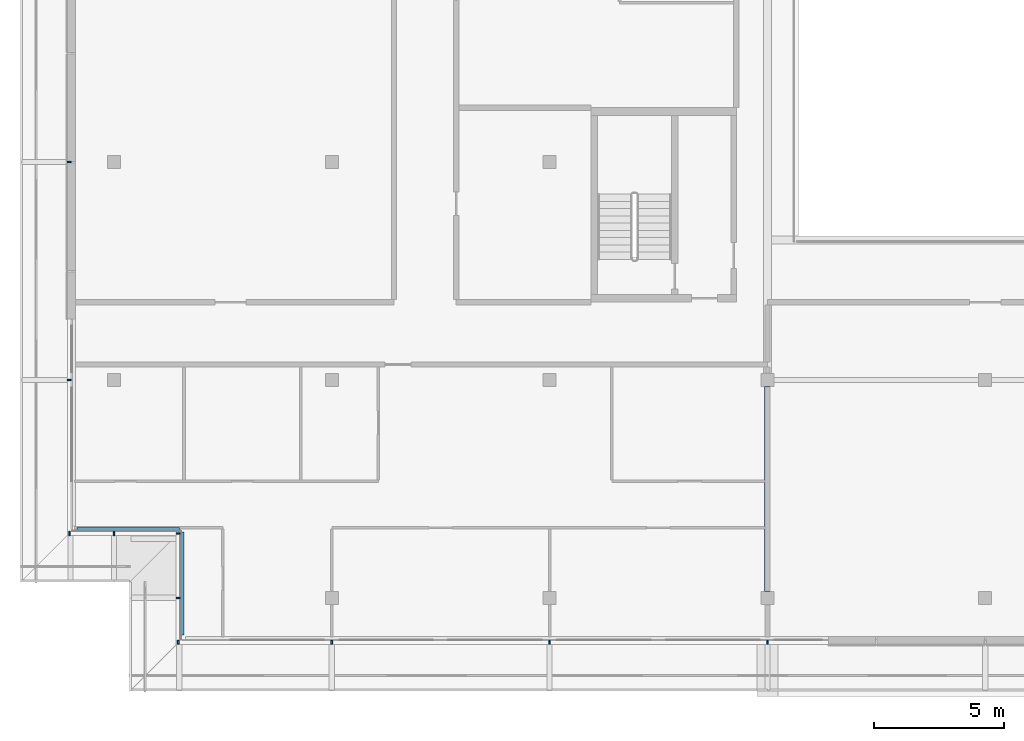
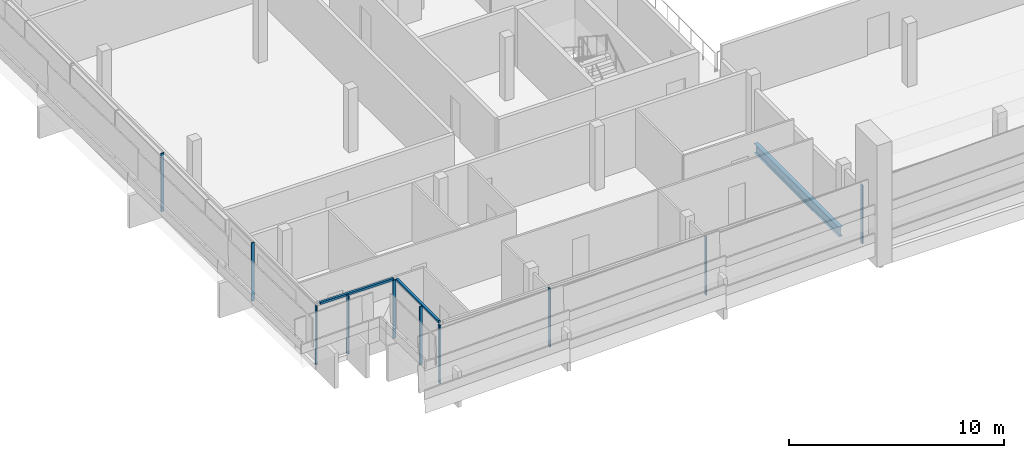
# One storey, part 2 of 33: 12 members, 1 beam, 4 elements without a shape of their own.
"""IFC4 building model written with IfcOpenShell, lengths in metres."""

from ifc_helpers import new_model, si_unit, direction, frame, origin, origin_2d, place, context, subcontext, project, spatial, rectangle, i_section, extrude, material, material_profile, profile_set, type_object, element, aggregate, save


model = new_model("IFC4")

# Units and contexts
model_context = context("Model", 3, precision=1e-05, world=origin(), true_north=direction((0.0, 1.0)))
body_context = subcontext(model_context, "Body", "Model", "MODEL_VIEW")
ifc_project = project(units=[si_unit("LENGTHUNIT", "METRE"), si_unit("AREAUNIT", "SQUARE_METRE"), si_unit("VOLUMEUNIT", "CUBIC_METRE"), si_unit("PLANEANGLEUNIT", "RADIAN"), si_unit("MASSUNIT", "GRAM", prefix="KILO")], contexts=[model_context])

# Site, building, storey
site_placement = place(None, origin())
site = spatial("IfcSite", under=ifc_project, at=site_placement, CompositionType="ELEMENT")
building_placement = place(site_placement, origin())
building = spatial("IfcBuilding", under=site, at=building_placement, Name="Saffron Gate Tower", CompositionType="ELEMENT")
storey_placement = place(building_placement, frame((0.0, 0.0, 263.550048828125)))
storey = spatial("IfcBuildingStorey", under=building, at=storey_placement, Name="L63", CompositionType="ELEMENT", Elevation=263.550048828125)

# Beam
ifc_material_1 = material(Name="Structural steel S355", Category="steel")
ifc_material_profile_1 = material_profile(ifc_material_1, i_section(OverallWidth=0.2099609375, OverallDepth=0.550048828125, WebThickness=0.010986328125, FlangeThickness=0.01708984375, FilletRadius=0.02392578125, at=origin_2d()))
ifc_profile_set_1 = profile_set([ifc_material_profile_1], Name="Structural steel S355")
beam_type = type_object("IfcBeamType", Name="B12 IPE 550", PredefinedType="BEAM", material=ifc_profile_set_1)
beam_placement = place(storey_placement, frame((75.0, 32.050048828125, -0.554931640625), z_axis=(0.0, 1.0, 0.0), x_axis=(-1.0, 0.0, 0.0)))
element("IfcBeam", 1, at=beam_placement, inside=storey, type_object=beam_type, Name="B12 FLOOR GIRDER", PredefinedType="BEAM", context=body_context, shape_type="SweptSolid", body=[
    extrude(i_section(OverallWidth=0.2099609375, OverallDepth=0.550048828125, WebThickness=0.010986328125, FlangeThickness=0.01708984375, FilletRadius=0.02392578125, at=origin_2d()), origin(), (0.0, 0.0, 1.0), 7.89990234375),
])

# Curtain wall, members
ifc_material_2 = material(Name="Aluminium, bronze anodised", Category="aluminium")
curtain_wall_type_1 = type_object("IfcCurtainWallType", Name="CWS1 curtain wall front facade", PredefinedType="NOTDEFINED", material=ifc_material_2)
curtain_wall_1_placement = place(storey_placement, origin())
curtain_wall_1 = element("IfcCurtainWall", 2, at=curtain_wall_1_placement, inside=storey, type_object=curtain_wall_type_1, Name="CWS1 run 1", PredefinedType="NOTDEFINED")
ifc_material_profile_2 = material_profile(ifc_material_2, rectangle(XDim=0.159912109375, YDim=0.06005859375, at=origin_2d()))
ifc_profile_set_2 = profile_set([ifc_material_profile_2], Name="Aluminium, bronze anodised")
member_type_1 = type_object("IfcMemberType", Name="CWS1 mullion 60x160", PredefinedType="MULLION", material=ifc_profile_set_2)
member_1_placement = place(storey_placement, frame((52.280029296875, 30.080078125, 0.0), z_axis=(0.0, 0.0, 1.0), x_axis=(0.0, 1.0, 0.0)))
member_1 = element("IfcMember", 3, at=member_1_placement, type_object=member_type_1, Name="CWS1 mullion 1", PredefinedType="MULLION", context=body_context, shape_type="SweptSolid", body=[
    extrude(rectangle(XDim=0.159912109375, YDim=0.06005859375, at=origin_2d()), origin(), (0.0, 0.0, 1.0), 3.320068359375),
])
member_2_placement = place(storey_placement, frame((58.199951171875, 30.080078125, 0.0), z_axis=(0.0, 0.0, 1.0), x_axis=(0.0, 1.0, 0.0)))
member_2 = element("IfcMember", 4, at=member_2_placement, type_object=member_type_1, Name="CWS1 mullion 2", PredefinedType="MULLION", context=body_context, shape_type="SweptSolid", body=[
    extrude(rectangle(XDim=0.159912109375, YDim=0.06005859375, at=origin_2d()), origin(), (0.0, 0.0, 1.0), 3.320068359375),
])
member_3_placement = place(storey_placement, frame((66.60009765625, 30.080078125, 0.0), z_axis=(0.0, 0.0, 1.0), x_axis=(0.0, 1.0, 0.0)))
member_3 = element("IfcMember", 5, at=member_3_placement, type_object=member_type_1, Name="CWS1 mullion 3", PredefinedType="MULLION", context=body_context, shape_type="SweptSolid", body=[
    extrude(rectangle(XDim=0.159912109375, YDim=0.06005859375, at=origin_2d()), origin(), (0.0, 0.0, 1.0), 3.320068359375),
])
member_4_placement = place(storey_placement, frame((75.0, 30.080078125, 0.0), z_axis=(0.0, 0.0, 1.0), x_axis=(0.0, 1.0, 0.0)))
member_4 = element("IfcMember", 6, at=member_4_placement, type_object=member_type_1, Name="CWS1 mullion 4", PredefinedType="MULLION", context=body_context, shape_type="SweptSolid", body=[
    extrude(rectangle(XDim=0.159912109375, YDim=0.06005859375, at=origin_2d()), origin(), (0.0, 0.0, 1.0), 3.320068359375),
])
aggregate(curtain_wall_1, [member_1, member_2, member_3, member_4])

curtain_wall_type_2 = type_object("IfcCurtainWallType", Name="CWS2 curtain wall side facades", PredefinedType="NOTDEFINED", material=ifc_material_2)
curtain_wall_2_placement = place(storey_placement, origin())
curtain_wall_2 = element("IfcCurtainWall", 7, at=curtain_wall_2_placement, inside=storey, type_object=curtain_wall_type_2, Name="CWS2 run 10", PredefinedType="NOTDEFINED")
ifc_material_profile_3 = material_profile(ifc_material_2, rectangle(XDim=0.159912109375, YDim=0.06005859375, at=origin_2d()))
ifc_profile_set_3 = profile_set([ifc_material_profile_3], Name="Aluminium, bronze anodised")
member_type_2 = type_object("IfcMemberType", Name="CWS2 mullion 60x160", PredefinedType="MULLION", material=ifc_profile_set_3)
member_5_placement = place(storey_placement, frame((48.080078125, 48.60009765625, 0.0), z_axis=(0.0, 0.0, 1.0), x_axis=(1.0, 0.0, 0.0)))
member_5 = element("IfcMember", 8, at=member_5_placement, type_object=member_type_2, Name="CWS2 mullion 4", PredefinedType="MULLION", context=body_context, shape_type="SweptSolid", body=[
    extrude(rectangle(XDim=0.159912109375, YDim=0.06005859375, at=origin_2d()), origin(), (0.0, 0.0, 1.0), 3.320068359375),
])
member_6_placement = place(storey_placement, frame((48.080078125, 40.199951171875, 0.0), z_axis=(0.0, 0.0, 1.0), x_axis=(1.0, 0.0, 0.0)))
member_6 = element("IfcMember", 9, at=member_6_placement, type_object=member_type_2, Name="CWS2 mullion 5", PredefinedType="MULLION", context=body_context, shape_type="SweptSolid", body=[
    extrude(rectangle(XDim=0.159912109375, YDim=0.06005859375, at=origin_2d()), origin(), (0.0, 0.0, 1.0), 3.320068359375),
])
aggregate(curtain_wall_2, [member_5, member_6])

# Curtain wall, member
curtain_wall_type_3 = type_object("IfcCurtainWallType", Name="CWS4 curtain wall corner returns", PredefinedType="NOTDEFINED", material=ifc_material_2)
curtain_wall_3_placement = place(storey_placement, origin())
curtain_wall_3 = element("IfcCurtainWall", 10, at=curtain_wall_3_placement, inside=storey, type_object=curtain_wall_type_3, Name="CWS4 run 11", PredefinedType="NOTDEFINED")
ifc_material_profile_4 = material_profile(ifc_material_2, rectangle(XDim=0.1201171875, YDim=0.1201171875, at=origin_2d()))
ifc_profile_set_4 = profile_set([ifc_material_profile_4], Name="Aluminium, bronze anodised")
member_type_3 = type_object("IfcMemberType", Name="CWS4 head transom", PredefinedType="USERDEFINED", material=ifc_profile_set_4)
member_7_placement = place(storey_placement, frame((48.367919921875, 34.447998046875, 3.260009765625), z_axis=(1.0, 0.0, 0.0), x_axis=(0.0, 1.0, 0.0)))
member_7 = element("IfcMember", 11, at=member_7_placement, type_object=member_type_3, Name="CWS4 head transom", ObjectType="TRANSOM", PredefinedType="USERDEFINED", context=body_context, shape_type="SweptSolid", body=[
    extrude(rectangle(XDim=0.1201171875, YDim=0.1201171875, at=origin_2d()), origin(), (0.0, 0.0, 1.0), 3.9599609375),
])

curtain_wall_4_placement = place(storey_placement, origin())
curtain_wall_4 = element("IfcCurtainWall", 12, at=curtain_wall_4_placement, inside=storey, type_object=curtain_wall_type_3, Name="CWS4 run 12", PredefinedType="NOTDEFINED")
member_8_placement = place(storey_placement, frame((52.447998046875, 34.327880859375, 3.260009765625), z_axis=(0.0, -1.0, 0.0), x_axis=(1.0, 0.0, 0.0)))
member_8 = element("IfcMember", 13, at=member_8_placement, type_object=member_type_3, Name="CWS4 head transom", ObjectType="TRANSOM", PredefinedType="USERDEFINED", context=body_context, shape_type="SweptSolid", body=[
    extrude(rectangle(XDim=0.1201171875, YDim=0.1201171875, at=origin_2d()), origin(), (0.0, 0.0, 1.0), 3.9599609375),
])

# Member
ifc_material_profile_5 = material_profile(ifc_material_2, rectangle(XDim=0.159912109375, YDim=0.06005859375, at=origin_2d()))
ifc_profile_set_5 = profile_set([ifc_material_profile_5], Name="Aluminium, bronze anodised")
member_type_4 = type_object("IfcMemberType", Name="CWS4 mullion 60x160", PredefinedType="MULLION", material=ifc_profile_set_5)
member_9_placement = place(storey_placement, frame((48.080078125, 34.280029296875, 0.0), z_axis=(0.0, 0.0, 1.0), x_axis=(0.0, 1.0, 0.0)))
member_9 = element("IfcMember", 14, at=member_9_placement, type_object=member_type_4, Name="CWS4 mullion 1", PredefinedType="MULLION", context=body_context, shape_type="SweptSolid", body=[
    extrude(rectangle(XDim=0.159912109375, YDim=0.06005859375, at=origin_2d()), origin(), (0.0, 0.0, 1.0), 3.320068359375),
])

member_10_placement = place(storey_placement, frame((49.800048828125, 34.280029296875, 0.0), z_axis=(0.0, 0.0, 1.0), x_axis=(0.0, 1.0, 0.0)))
member_10 = element("IfcMember", 15, at=member_10_placement, type_object=member_type_4, Name="CWS4 mullion 2", PredefinedType="MULLION", context=body_context, shape_type="SweptSolid", body=[
    extrude(rectangle(XDim=0.159912109375, YDim=0.06005859375, at=origin_2d()), origin(), (0.0, 0.0, 1.0), 3.320068359375),
])

aggregate(curtain_wall_3, [member_9, member_10, member_7])

member_11_placement = place(storey_placement, frame((52.280029296875, 34.280029296875, 0.0), z_axis=(0.0, 0.0, 1.0), x_axis=(1.0, 0.0, 0.0)))
member_11 = element("IfcMember", 16, at=member_11_placement, type_object=member_type_4, Name="CWS4 mullion 1", PredefinedType="MULLION", context=body_context, shape_type="SweptSolid", body=[
    extrude(rectangle(XDim=0.159912109375, YDim=0.06005859375, at=origin_2d()), origin(), (0.0, 0.0, 1.0), 3.320068359375),
])

member_12_placement = place(storey_placement, frame((52.280029296875, 31.800048828125, 0.0), z_axis=(0.0, 0.0, 1.0), x_axis=(1.0, 0.0, 0.0)))
member_12 = element("IfcMember", 17, at=member_12_placement, type_object=member_type_4, Name="CWS4 mullion 2", PredefinedType="MULLION", context=body_context, shape_type="SweptSolid", body=[
    extrude(rectangle(XDim=0.159912109375, YDim=0.06005859375, at=origin_2d()), origin(), (0.0, 0.0, 1.0), 3.320068359375),
])

aggregate(curtain_wall_4, [member_11, member_12, member_8])

save(model, "model.ifc")
